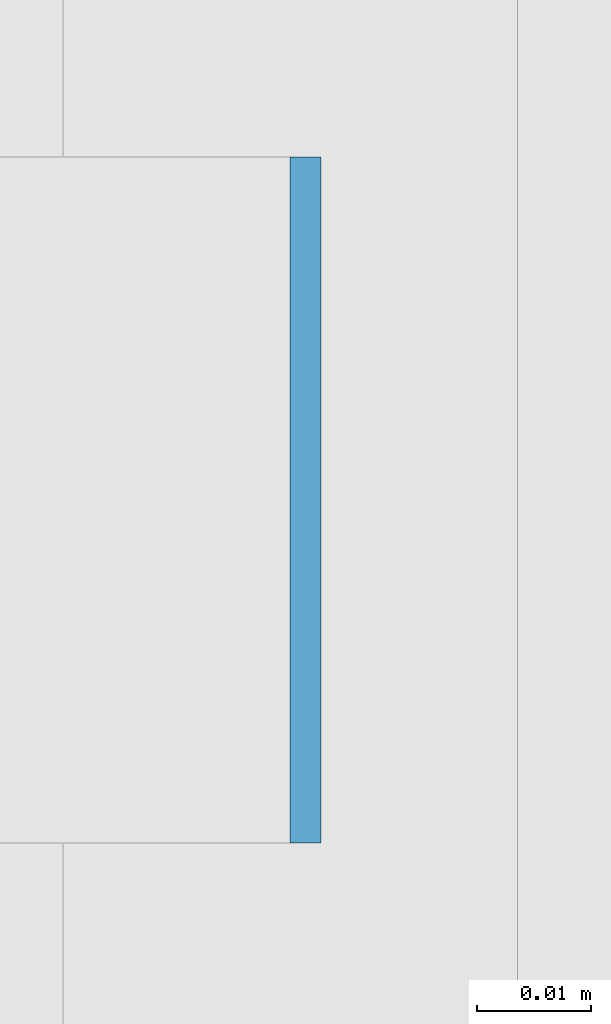
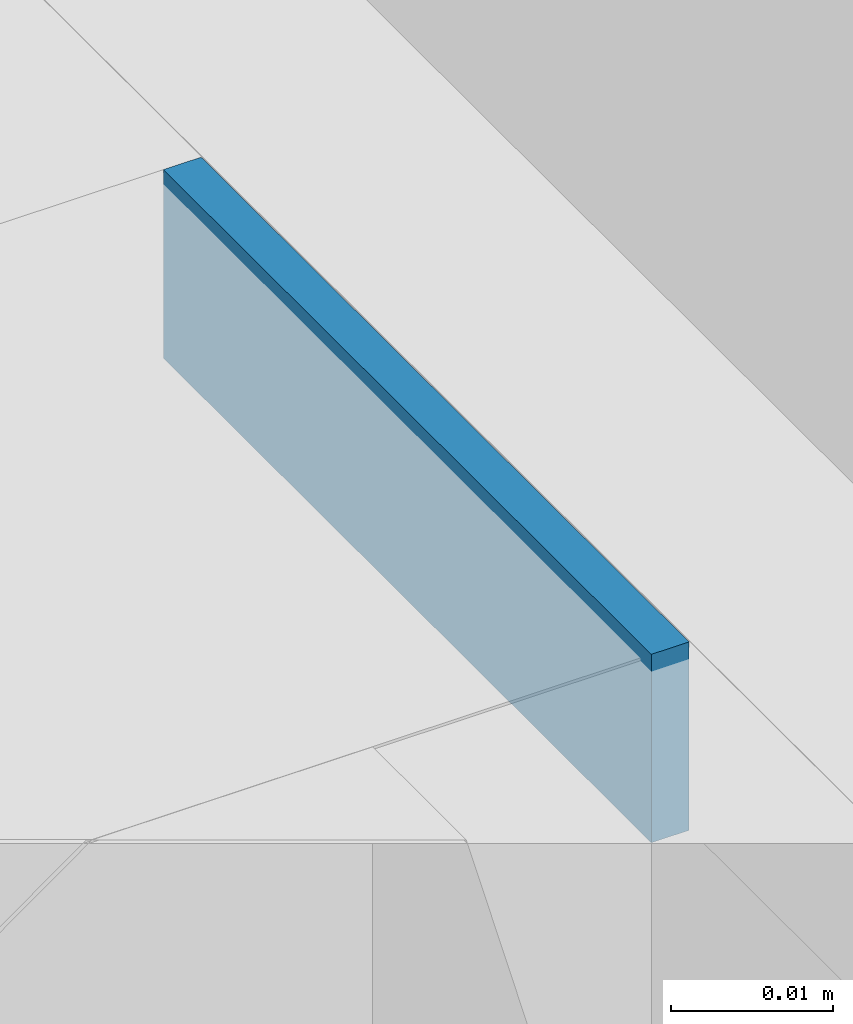
# One storey, part 281 of 646: 1 discrete accessory.
"""IFC4 building model written with IfcOpenShell, lengths in metres."""

from ifc_helpers import new_model, si_unit, direction, frame, origin, origin_2d, place, context, subcontext, project, spatial, rectangle, extrude, material, type_object, element, save


model = new_model("IFC4")

# Units and contexts
model_context = context("Model", 3, precision=1e-05, world=origin(), true_north=direction((0.0, 1.0)))
body_context = subcontext(model_context, "Body", "Model", "MODEL_VIEW")
ifc_project = project(units=[si_unit("LENGTHUNIT", "METRE"), si_unit("AREAUNIT", "SQUARE_METRE"), si_unit("VOLUMEUNIT", "CUBIC_METRE"), si_unit("PLANEANGLEUNIT", "RADIAN"), si_unit("MASSUNIT", "GRAM", prefix="KILO")], contexts=[model_context])

# Site, building, storey
site_placement = place(None, origin())
site = spatial("IfcSite", under=ifc_project, at=site_placement, CompositionType="ELEMENT")
building_placement = place(site_placement, origin())
building = spatial("IfcBuilding", under=site, at=building_placement, Name="Silverbay Arena", CompositionType="ELEMENT")
storey_placement = place(building_placement, frame((0.0, 0.0, 33.5)))
storey = spatial("IfcBuildingStorey", under=building, at=storey_placement, Name="L05", CompositionType="ELEMENT", Elevation=33.5)

# Discrete accessory
ifc_material = material(Name="Steel S355", Category="steel")
discrete_accessory_type = type_object("IfcDiscreteAccessoryType", Name="Steel bracket plate", PredefinedType="BRACKET", material=ifc_material)
discrete_accessory_placement = place(storey_placement, frame((53.871337890625, 52.71435546875, 12.98583984375), z_axis=(0.0, 0.0, 1.0), x_axis=(1.0, 0.0, 0.0)))
element("IfcDiscreteAccessory", 1, at=discrete_accessory_placement, inside=storey, type_object=discrete_accessory_type, Name="Curtain wall packing plate", PredefinedType="BRACKET", context=body_context, shape_type="SweptSolid", body=[
    extrude(rectangle(XDim=0.002685546875, YDim=0.06005859375, at=origin_2d()), origin(), (0.0, 0.0, 1.0), 0.01416015625),
])

save(model, "model.ifc")
